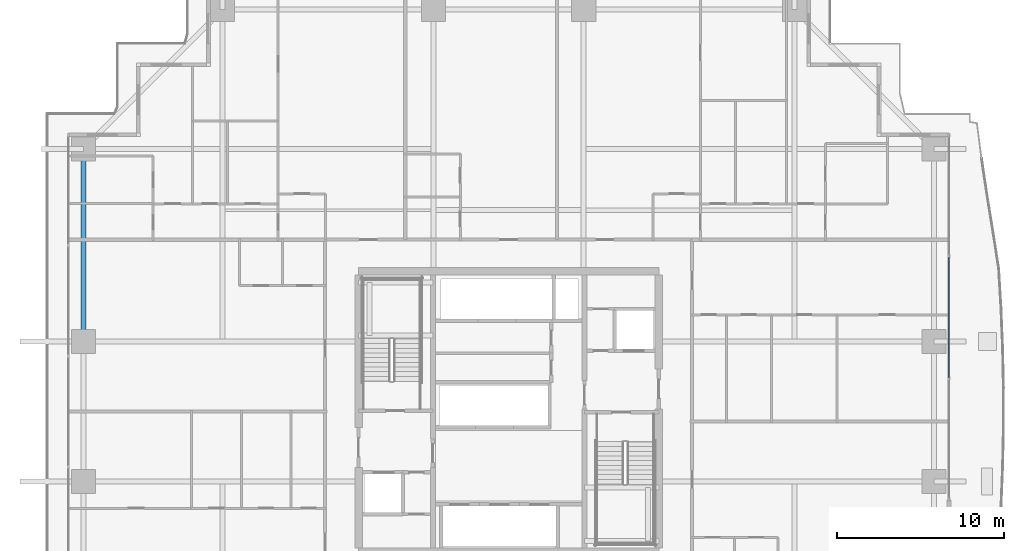
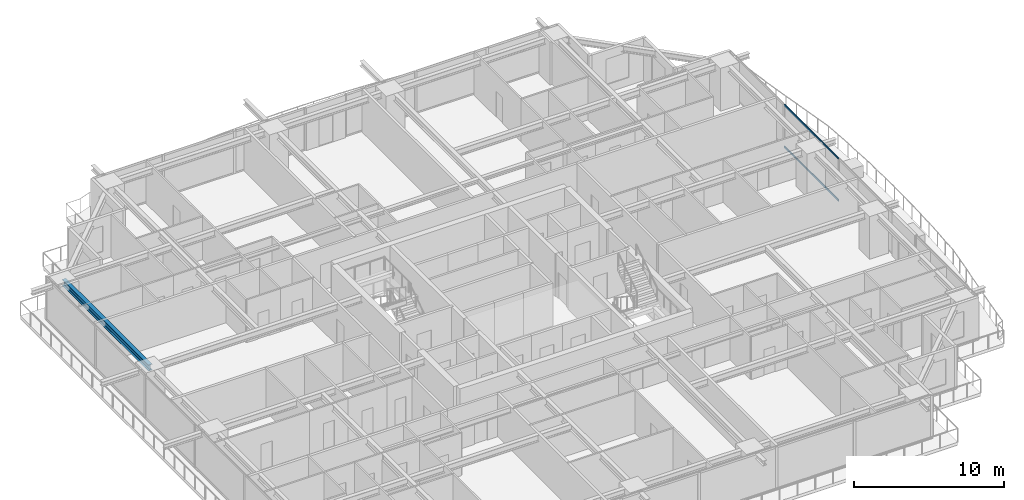
# One storey, part 15 of 38: 2 members, 1 beam, 1 element without a shape of its own.
"""IFC4 building model written with IfcOpenShell, lengths in metres."""

from ifc_helpers import new_model, si_unit, direction, frame, origin, origin_2d, place, context, subcontext, project, spatial, hollow_rectangle, i_section, extrude, source, transform, mapped, material, layer, layer_set, material_profile, profile_set, type_object, element, aggregate, save


model = new_model("IFC4")

# Units and contexts
model_context = context("Model", 3, precision=1e-05, world=origin(), true_north=direction((0.0, 1.0)))
body_context = subcontext(model_context, "Body", "Model", "MODEL_VIEW")
ifc_project = project(units=[si_unit("LENGTHUNIT", "METRE"), si_unit("AREAUNIT", "SQUARE_METRE"), si_unit("VOLUMEUNIT", "CUBIC_METRE"), si_unit("PLANEANGLEUNIT", "RADIAN"), si_unit("MASSUNIT", "GRAM", prefix="KILO")], contexts=[model_context])

# Site, building, storey
site_placement = place(None, origin())
site = spatial("IfcSite", under=ifc_project, at=site_placement, CompositionType="ELEMENT")
building_placement = place(site_placement, origin())
building = spatial("IfcBuilding", under=site, at=building_placement, Name="Serunith Strait Residences", CompositionType="ELEMENT")
storey_placement = place(building_placement, frame((0.0, 0.0, 37.949951171875)))
storey = spatial("IfcBuildingStorey", under=building, at=storey_placement, Name="L08", CompositionType="ELEMENT", Elevation=37.949951171875)

# Beam
ifc_material_1 = material(Name="Steel S355J2", Category="steel")
ifc_material_profile_1 = material_profile(ifc_material_1, i_section(OverallWidth=0.300048828125, OverallDepth=0.5, WebThickness=0.014404296875, FlangeThickness=0.028076171875, FilletRadius=0.027099609375, at=origin_2d()), Name="HEB 500")
ifc_profile_set_1 = profile_set([ifc_material_profile_1], Name="Steel S355J2")
beam_type = type_object("IfcBeamType", Name="BM-HEB500", PredefinedType="BEAM", material=ifc_profile_set_1)
shared_shape_1 = source(origin(), body_context, "Body", "SweptSolid", [
    extrude(i_section(OverallWidth=0.300048828125, OverallDepth=0.5, WebThickness=0.014404296875, FlangeThickness=0.028076171875, FilletRadius=0.027099609375, at=origin_2d()), origin(), (0.0, 0.0, 1.0), 11.550048828125),
])
beam_placement = place(storey_placement, frame((6.89990234375, 40.949951171875, 3.237060546875), z_axis=(0.0, -1.0, 0.0), x_axis=(1.0, 0.0, 0.0)))
element("IfcBeam", 1, at=beam_placement, inside=storey, type_object=beam_type, Name="L08 Perimeter Ring Beam 13", PredefinedType="BEAM", context=body_context, shape_type="MappedRepresentation", body=[
    mapped(shared_shape_1, transform((0.0, 0.0, 0.0), scale=1.0)),
])

# Curtain wall, members
ifc_material_2 = material(Name="Pale-Champagne Anodised Aluminium", Category="aluminium")
ifc_layer = layer(ifc_material_2, 0.199951171875, Name="Pale-Champagne Anodised Aluminium")
ifc_layer_set = layer_set([ifc_layer], Name="Pale-Champagne Anodised Aluminium")
curtain_wall_type = type_object("IfcCurtainWallType", Name="CW-SYS1", PredefinedType="NOTDEFINED", material=ifc_layer_set)
curtain_wall_placement = place(storey_placement, origin())
curtain_wall = element("IfcCurtainWall", 2, at=curtain_wall_placement, inside=storey, type_object=curtain_wall_type, Name="L08 E Unitised Fritted Curtain Wall", PredefinedType="NOTDEFINED")
ifc_material_profile_2 = material_profile(ifc_material_2, hollow_rectangle(XDim=0.06005859375, YDim=0.159912109375, WallThickness=0.00341796875, InnerFilletRadius=0.00537109375, OuterFilletRadius=0.0087890625, at=origin_2d()), Name="ALU 160x60x3.5")
ifc_profile_set_2 = profile_set([ifc_material_profile_2], Name="Pale-Champagne Anodised Aluminium")
member_type = type_object("IfcMemberType", Name="CW-SYS1-TRAN", PredefinedType="USERDEFINED", material=ifc_profile_set_2)
shared_shape_2 = source(origin(), body_context, "Body", "SweptSolid", [
    extrude(hollow_rectangle(XDim=0.06005859375, YDim=0.159912109375, WallThickness=0.00341796875, InnerFilletRadius=0.00537109375, OuterFilletRadius=0.0087890625, at=origin_2d()), origin(), (0.0, 0.0, 1.0), 7.22998046875),
])
member_1_placement = place(storey_placement, frame((58.800048828125, 27.235107421875, 0.030029296875), z_axis=(0.0, 1.0, 0.0), x_axis=(-1.0, 0.0, 0.0)))
member_1 = element("IfcMember", 3, at=member_1_placement, type_object=member_type, Name="CW-1 transom 2.1", ObjectType="TRANSOM", PredefinedType="USERDEFINED", context=body_context, shape_type="MappedRepresentation", body=[
    mapped(shared_shape_2, transform((0.0, 0.0, 0.0), scale=1.0)),
])
member_2_placement = place(storey_placement, frame((58.800048828125, 27.235107421875, 3.445068359375), z_axis=(0.0, 1.0, 0.0), x_axis=(-1.0, 0.0, 0.0)))
member_2 = element("IfcMember", 4, at=member_2_placement, type_object=member_type, Name="CW-1 transom 2.2", ObjectType="TRANSOM", PredefinedType="USERDEFINED", context=body_context, shape_type="MappedRepresentation", body=[
    mapped(shared_shape_2, transform((0.0, 0.0, 0.0), scale=1.0)),
])
aggregate(curtain_wall, [member_1, member_2])

save(model, "model.ifc")
